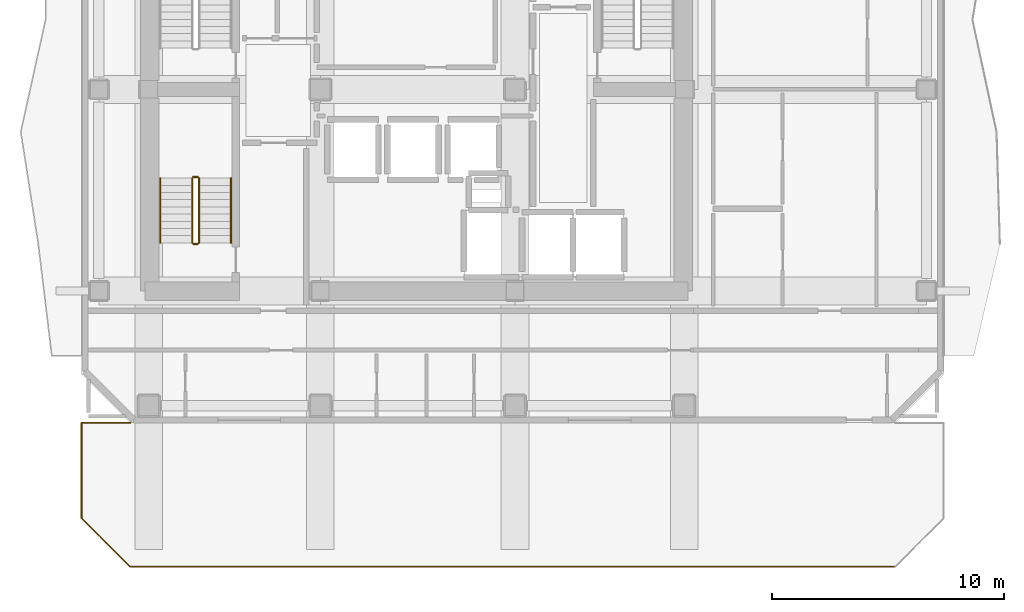
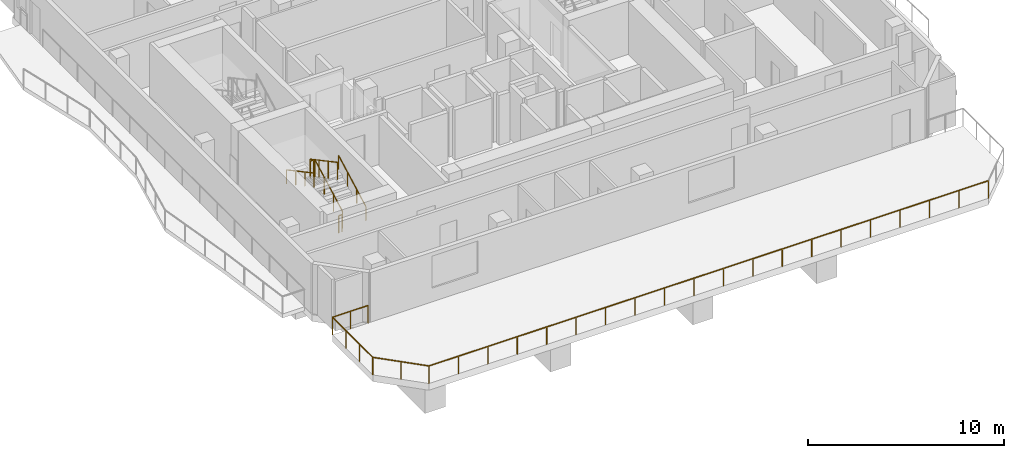
# One storey, part 7 of 9: 10 railings.
"""IFC4 building model written with IfcOpenShell, lengths in metres."""

from ifc_helpers import new_model, si_unit, direction, frame, origin, origin_2d, place, context, subcontext, project, spatial, rectangle, extrude, material, type_object, element, save


model = new_model("IFC4")

# Units and contexts
model_context = context("Model", 3, precision=1e-05, world=origin(), true_north=direction((0.0, 1.0)))
body_context = subcontext(model_context, "Body", "Model", "MODEL_VIEW")
ifc_project = project(units=[si_unit("LENGTHUNIT", "METRE"), si_unit("AREAUNIT", "SQUARE_METRE"), si_unit("VOLUMEUNIT", "CUBIC_METRE"), si_unit("PLANEANGLEUNIT", "RADIAN"), si_unit("MASSUNIT", "GRAM", prefix="KILO")], contexts=[model_context])

# Site, building, storey
site_placement = place(None, origin())
site = spatial("IfcSite", under=ifc_project, at=site_placement, CompositionType="ELEMENT")
building_placement = place(site_placement, origin())
building = spatial("IfcBuilding", under=site, at=building_placement, Name="Solanera Arch Residences", CompositionType="ELEMENT")
storey_placement = place(building_placement, frame((0.0, 0.0, 231.280029296875)))
storey = spatial("IfcBuildingStorey", under=building, at=storey_placement, Name="L67", CompositionType="ELEMENT", Elevation=231.280029296875)

# Railings
ifc_material_1 = material(Name="Steel S355 (ASTM A992 / A572 Grade 50)", Category="steel")
railing_type_1 = type_object("IfcRailingType", Name="Balustrade Railing BL-1100", PredefinedType="BALUSTRADE", material=ifc_material_1)
railing_1_placement = place(storey_placement, frame((12.60791015625, 16.320068359375, 0.0)))
element("IfcRailing", 1, at=railing_1_placement, inside=storey, type_object=railing_type_1, Name="L67 Sky Terrace Guardrail 1", PredefinedType="BALUSTRADE", context=body_context, shape_type="SweptSolid", body=[
    extrude(rectangle(XDim=0.048095703125, YDim=0.048095703125, at=origin_2d()), frame((0.0, 0.0, 1.09619140625), z_axis=(-1.0, 0.0, 0.0), x_axis=(0.0, -1.0, 0.0)), (0.0, 0.0, 1.0), 2.10791015625),
    extrude(rectangle(XDim=0.0419921875, YDim=0.0419921875, at=origin_2d()), origin(), (0.0, 0.0, 1.0), 1.072021484375),
    extrude(rectangle(XDim=0.0419921875, YDim=0.0419921875, at=origin_2d()), frame((-1.053955078125, 0.0, 0.0)), (0.0, 0.0, 1.0), 1.072021484375),
    extrude(rectangle(XDim=0.0419921875, YDim=0.0419921875, at=origin_2d()), frame((-2.10791015625, 0.0, 0.0)), (0.0, 0.0, 1.0), 1.072021484375),
])
railing_2_placement = place(storey_placement, frame((10.5, 16.320068359375, 0.0)))
element("IfcRailing", 2, at=railing_2_placement, inside=storey, type_object=railing_type_1, Name="L67 Sky Terrace Guardrail 1", PredefinedType="BALUSTRADE", context=body_context, shape_type="SweptSolid", body=[
    extrude(rectangle(XDim=0.048095703125, YDim=0.048095703125, at=origin_2d()), frame((0.0, 0.0, 1.09619140625), z_axis=(0.0, -1.0, 0.0), x_axis=(1.0, 0.0, 0.0)), (0.0, 0.0, 1.0), 4.1201171875),
    extrude(rectangle(XDim=0.0419921875, YDim=0.0419921875, at=origin_2d()), origin(), (0.0, 0.0, 1.0), 1.072021484375),
    extrude(rectangle(XDim=0.0419921875, YDim=0.0419921875, at=origin_2d()), frame((0.0, -1.373291015625, 0.0)), (0.0, 0.0, 1.0), 1.072021484375),
    extrude(rectangle(XDim=0.0419921875, YDim=0.0419921875, at=origin_2d()), frame((0.0, -2.746826171875, 0.0)), (0.0, 0.0, 1.0), 1.072021484375),
    extrude(rectangle(XDim=0.0419921875, YDim=0.0419921875, at=origin_2d()), frame((0.0, -4.1201171875, 0.0)), (0.0, 0.0, 1.0), 1.072021484375),
])
railing_3_placement = place(storey_placement, frame((10.5, 12.199951171875, 0.0)))
element("IfcRailing", 3, at=railing_3_placement, inside=storey, type_object=railing_type_1, Name="L67 Sky Terrace Guardrail 1", PredefinedType="BALUSTRADE", context=body_context, shape_type="SweptSolid", body=[
    extrude(rectangle(XDim=0.048095703125, YDim=0.048095703125, at=origin_2d()), frame((0.0, 0.0, 1.09619140625), z_axis=(0.707147883682, -0.707065676302, 0.0), x_axis=(0.707065676302, 0.707147883682, 0.0)), (0.0, 0.0, 1.0), 2.9697265625),
    extrude(rectangle(XDim=0.0419921875, YDim=0.0419921875, at=origin_2d()), origin(), (0.0, 0.0, 1.0), 1.072021484375),
    extrude(rectangle(XDim=0.0419921875, YDim=0.0419921875, at=origin_2d()), frame((1.050048828125, -1.0498046875, 0.0)), (0.0, 0.0, 1.0), 1.072021484375),
    extrude(rectangle(XDim=0.0419921875, YDim=0.0419921875, at=origin_2d()), frame((2.10009765625, -2.099853515625, 0.0)), (0.0, 0.0, 1.0), 1.072021484375),
])
railing_4_placement = place(storey_placement, frame((12.60009765625, 10.10009765625, 0.0)))
element("IfcRailing", 4, at=railing_4_placement, inside=storey, type_object=railing_type_1, Name="L67 Sky Terrace Guardrail 1", PredefinedType="BALUSTRADE", context=body_context, shape_type="SweptSolid", body=[
    extrude(rectangle(XDim=0.048095703125, YDim=0.048095703125, at=origin_2d()), frame((0.0, 0.0, 1.09619140625), z_axis=(1.0, 0.0, 0.0), x_axis=(0.0, 1.0, 0.0)), (0.0, 0.0, 1.0), 33.0),
    extrude(rectangle(XDim=0.0419921875, YDim=0.0419921875, at=origin_2d()), origin(), (0.0, 0.0, 1.0), 1.072021484375),
    extrude(rectangle(XDim=0.0419921875, YDim=0.0419921875, at=origin_2d()), frame((1.73681640625, 0.0, 0.0)), (0.0, 0.0, 1.0), 1.072021484375),
    extrude(rectangle(XDim=0.0419921875, YDim=0.0419921875, at=origin_2d()), frame((3.4736328125, 0.0, 0.0)), (0.0, 0.0, 1.0), 1.072021484375),
    extrude(rectangle(XDim=0.0419921875, YDim=0.0419921875, at=origin_2d()), frame((5.21044921875, 0.0, 0.0)), (0.0, 0.0, 1.0), 1.072021484375),
    extrude(rectangle(XDim=0.0419921875, YDim=0.0419921875, at=origin_2d()), frame((6.947265625, 0.0, 0.0)), (0.0, 0.0, 1.0), 1.072021484375),
    extrude(rectangle(XDim=0.0419921875, YDim=0.0419921875, at=origin_2d()), frame((8.684326171875, 0.0, 0.0)), (0.0, 0.0, 1.0), 1.072021484375),
    extrude(rectangle(XDim=0.0419921875, YDim=0.0419921875, at=origin_2d()), frame((10.421142578125, 0.0, 0.0)), (0.0, 0.0, 1.0), 1.072021484375),
    extrude(rectangle(XDim=0.0419921875, YDim=0.0419921875, at=origin_2d()), frame((12.157958984375, 0.0, 0.0)), (0.0, 0.0, 1.0), 1.072021484375),
    extrude(rectangle(XDim=0.0419921875, YDim=0.0419921875, at=origin_2d()), frame((13.894775390625, 0.0, 0.0)), (0.0, 0.0, 1.0), 1.072021484375),
    extrude(rectangle(XDim=0.0419921875, YDim=0.0419921875, at=origin_2d()), frame((15.631591796875, 0.0, 0.0)), (0.0, 0.0, 1.0), 1.072021484375),
    extrude(rectangle(XDim=0.0419921875, YDim=0.0419921875, at=origin_2d()), frame((17.368408203125, 0.0, 0.0)), (0.0, 0.0, 1.0), 1.072021484375),
    extrude(rectangle(XDim=0.0419921875, YDim=0.0419921875, at=origin_2d()), frame((19.105224609375, 0.0, 0.0)), (0.0, 0.0, 1.0), 1.072021484375),
    extrude(rectangle(XDim=0.0419921875, YDim=0.0419921875, at=origin_2d()), frame((20.842041015625, 0.0, 0.0)), (0.0, 0.0, 1.0), 1.072021484375),
    extrude(rectangle(XDim=0.0419921875, YDim=0.0419921875, at=origin_2d()), frame((22.578857421875, 0.0, 0.0)), (0.0, 0.0, 1.0), 1.072021484375),
    extrude(rectangle(XDim=0.0419921875, YDim=0.0419921875, at=origin_2d()), frame((24.315673828125, 0.0, 0.0)), (0.0, 0.0, 1.0), 1.072021484375),
    extrude(rectangle(XDim=0.0419921875, YDim=0.0419921875, at=origin_2d()), frame((26.052734375, 0.0, 0.0)), (0.0, 0.0, 1.0), 1.072021484375),
    extrude(rectangle(XDim=0.0419921875, YDim=0.0419921875, at=origin_2d()), frame((27.78955078125, 0.0, 0.0)), (0.0, 0.0, 1.0), 1.072021484375),
    extrude(rectangle(XDim=0.0419921875, YDim=0.0419921875, at=origin_2d()), frame((29.5263671875, 0.0, 0.0)), (0.0, 0.0, 1.0), 1.072021484375),
    extrude(rectangle(XDim=0.0419921875, YDim=0.0419921875, at=origin_2d()), frame((31.26318359375, 0.0, 0.0)), (0.0, 0.0, 1.0), 1.072021484375),
    extrude(rectangle(XDim=0.0419921875, YDim=0.0419921875, at=origin_2d()), frame((33.0, 0.0, 0.0)), (0.0, 0.0, 1.0), 1.072021484375),
])
ifc_material_2 = material(Name="Steel S355 (ASTM A992 / A572 Grade 50)", Category="steel")
railing_type_2 = type_object("IfcRailingType", Name="Stair Guardrail GR-1100", PredefinedType="GUARDRAIL", material=ifc_material_2)
railing_5_placement = place(storey_placement, frame((15.570068359375, 24.080078125, 0.15087890625)))
element("IfcRailing", 5, at=railing_5_placement, inside=storey, type_object=railing_type_2, Name="L67 ST-T3 stair guard 1", PredefinedType="GUARDRAIL", context=body_context, shape_type="SweptSolid", body=[
    extrude(rectangle(XDim=0.048095703125, YDim=0.048095703125, at=origin_2d()), frame((0.0, 0.0, 1.076171875), z_axis=(0.0, 0.881548766853, 0.472092969298), x_axis=(-1.0, 0.0, 0.0)), (0.0, 0.0, 1.0), 3.1650390625),
    extrude(rectangle(XDim=0.0419921875, YDim=0.0419921875, at=origin_2d()), origin(), (0.0, 0.0, 1.0), 1.052001953125),
    extrude(rectangle(XDim=0.0419921875, YDim=0.0419921875, at=origin_2d()), frame((0.0, 0.929931640625, 0.498046875)), (0.0, 0.0, 1.0), 1.052001953125),
    extrude(rectangle(XDim=0.0419921875, YDim=0.0419921875, at=origin_2d()), frame((0.0, 1.860107421875, 0.99609375)), (0.0, 0.0, 1.0), 1.052001953125),
    extrude(rectangle(XDim=0.0419921875, YDim=0.0419921875, at=origin_2d()), frame((0.0, 2.7900390625, 1.494140625)), (0.0, 0.0, 1.0), 1.052001953125),
])
railing_6_placement = place(storey_placement, frame((15.52001953125, 26.919921875, 1.64501953125)))
element("IfcRailing", 6, at=railing_6_placement, inside=storey, type_object=railing_type_2, Name="L67 ST-T3 stair guard 2", PredefinedType="GUARDRAIL", context=body_context, shape_type="SweptSolid", body=[
    extrude(rectangle(XDim=0.048095703125, YDim=0.048095703125, at=origin_2d()), frame((0.0, 0.0, 1.076171875), z_axis=(-1.0, 0.0, 0.0), x_axis=(0.0, -1.0, 0.0)), (0.0, 0.0, 1.0), 0.199951171875),
    extrude(rectangle(XDim=0.0419921875, YDim=0.0419921875, at=origin_2d()), origin(), (0.0, 0.0, 1.0), 1.052001953125),
    extrude(rectangle(XDim=0.0419921875, YDim=0.0419921875, at=origin_2d()), frame((-0.199951171875, 0.0, 0.0)), (0.0, 0.0, 1.0), 1.052001953125),
])
railing_7_placement = place(storey_placement, frame((15.27001953125, 26.8701171875, 1.81103515625)))
element("IfcRailing", 7, at=railing_7_placement, inside=storey, type_object=railing_type_2, Name="L67 ST-T3 stair guard 3", PredefinedType="GUARDRAIL", context=body_context, shape_type="SweptSolid", body=[
    extrude(rectangle(XDim=0.048095703125, YDim=0.048095703125, at=origin_2d()), frame((0.0, 0.0, 1.076171875), z_axis=(0.0, -0.881580869306, 0.472033018838), x_axis=(1.0, 0.0, 0.0)), (0.0, 0.0, 1.0), 3.164794921875),
    extrude(rectangle(XDim=0.0419921875, YDim=0.0419921875, at=origin_2d()), origin(), (0.0, 0.0, 1.0), 1.052001953125),
    extrude(rectangle(XDim=0.0419921875, YDim=0.0419921875, at=origin_2d()), frame((0.0, -0.929931640625, 0.498046875)), (0.0, 0.0, 1.0), 1.052001953125),
    extrude(rectangle(XDim=0.0419921875, YDim=0.0419921875, at=origin_2d()), frame((0.0, -1.860107421875, 0.995849609375)), (0.0, 0.0, 1.0), 1.052001953125),
    extrude(rectangle(XDim=0.0419921875, YDim=0.0419921875, at=origin_2d()), frame((0.0, -2.7900390625, 1.493896484375)), (0.0, 0.0, 1.0), 1.052001953125),
])
railing_8_placement = place(storey_placement, frame((15.52001953125, 24.030029296875, -0.01513671875)))
element("IfcRailing", 8, at=railing_8_placement, inside=storey, type_object=railing_type_2, Name="L67 ST-T3 stair guard 4", PredefinedType="GUARDRAIL", context=body_context, shape_type="SweptSolid", body=[
    extrude(rectangle(XDim=0.048095703125, YDim=0.048095703125, at=origin_2d()), frame((0.0, 0.0, 1.076171875), z_axis=(-1.0, 0.0, 0.0), x_axis=(0.0, -1.0, 0.0)), (0.0, 0.0, 1.0), 0.199951171875),
    extrude(rectangle(XDim=0.0419921875, YDim=0.0419921875, at=origin_2d()), origin(), (0.0, 0.0, 1.0), 1.052001953125),
    extrude(rectangle(XDim=0.0419921875, YDim=0.0419921875, at=origin_2d()), frame((-0.199951171875, 0.0, 0.0)), (0.0, 0.0, 1.0), 1.052001953125),
])
ifc_material_3 = material(Name="Steel S355 (ASTM A992 / A572 Grade 50)", Category="steel")
railing_type_3 = type_object("IfcRailingType", Name="Stair Wall Handrail HR-920", PredefinedType="HANDRAIL", material=ifc_material_3)
railing_9_placement = place(storey_placement, frame((16.949951171875, 24.080078125, 0.166015625)))
element("IfcRailing", 9, at=railing_9_placement, inside=storey, type_object=railing_type_3, Name="L67 ST-T3 stair handrail 1", PredefinedType="HANDRAIL", context=body_context, shape_type="SweptSolid", body=[
    extrude(rectangle(XDim=0.048095703125, YDim=0.048095703125, at=origin_2d()), frame((0.0, 0.0, 0.8759765625), z_axis=(0.0, 0.881580869306, 0.472033018838), x_axis=(-1.0, 0.0, 0.0)), (0.0, 0.0, 1.0), 3.164794921875),
    extrude(rectangle(XDim=0.0419921875, YDim=0.0419921875, at=origin_2d()), origin(), (0.0, 0.0, 1.0), 0.851806640625),
    extrude(rectangle(XDim=0.0419921875, YDim=0.0419921875, at=origin_2d()), frame((0.0, 0.929931640625, 0.498046875)), (0.0, 0.0, 1.0), 0.851806640625),
    extrude(rectangle(XDim=0.0419921875, YDim=0.0419921875, at=origin_2d()), frame((0.0, 1.860107421875, 0.995849609375)), (0.0, 0.0, 1.0), 0.851806640625),
    extrude(rectangle(XDim=0.0419921875, YDim=0.0419921875, at=origin_2d()), frame((0.0, 2.7900390625, 1.493896484375)), (0.0, 0.0, 1.0), 0.851806640625),
])
railing_10_placement = place(storey_placement, frame((13.889892578125, 26.8701171875, 1.825927734375)))
element("IfcRailing", 10, at=railing_10_placement, inside=storey, type_object=railing_type_3, Name="L67 ST-T3 stair handrail 2", PredefinedType="HANDRAIL", context=body_context, shape_type="SweptSolid", body=[
    extrude(rectangle(XDim=0.048095703125, YDim=0.048095703125, at=origin_2d()), frame((0.0, 0.0, 0.8759765625), z_axis=(0.0, -0.881548766853, 0.472092969298), x_axis=(1.0, 0.0, 0.0)), (0.0, 0.0, 1.0), 3.1650390625),
    extrude(rectangle(XDim=0.0419921875, YDim=0.0419921875, at=origin_2d()), origin(), (0.0, 0.0, 1.0), 0.851806640625),
    extrude(rectangle(XDim=0.0419921875, YDim=0.0419921875, at=origin_2d()), frame((0.0, -0.929931640625, 0.498046875)), (0.0, 0.0, 1.0), 0.851806640625),
    extrude(rectangle(XDim=0.0419921875, YDim=0.0419921875, at=origin_2d()), frame((0.0, -1.860107421875, 0.99609375)), (0.0, 0.0, 1.0), 0.851806640625),
    extrude(rectangle(XDim=0.0419921875, YDim=0.0419921875, at=origin_2d()), frame((0.0, -2.7900390625, 1.494140625)), (0.0, 0.0, 1.0), 0.851806640625),
])

save(model, "model.ifc")
